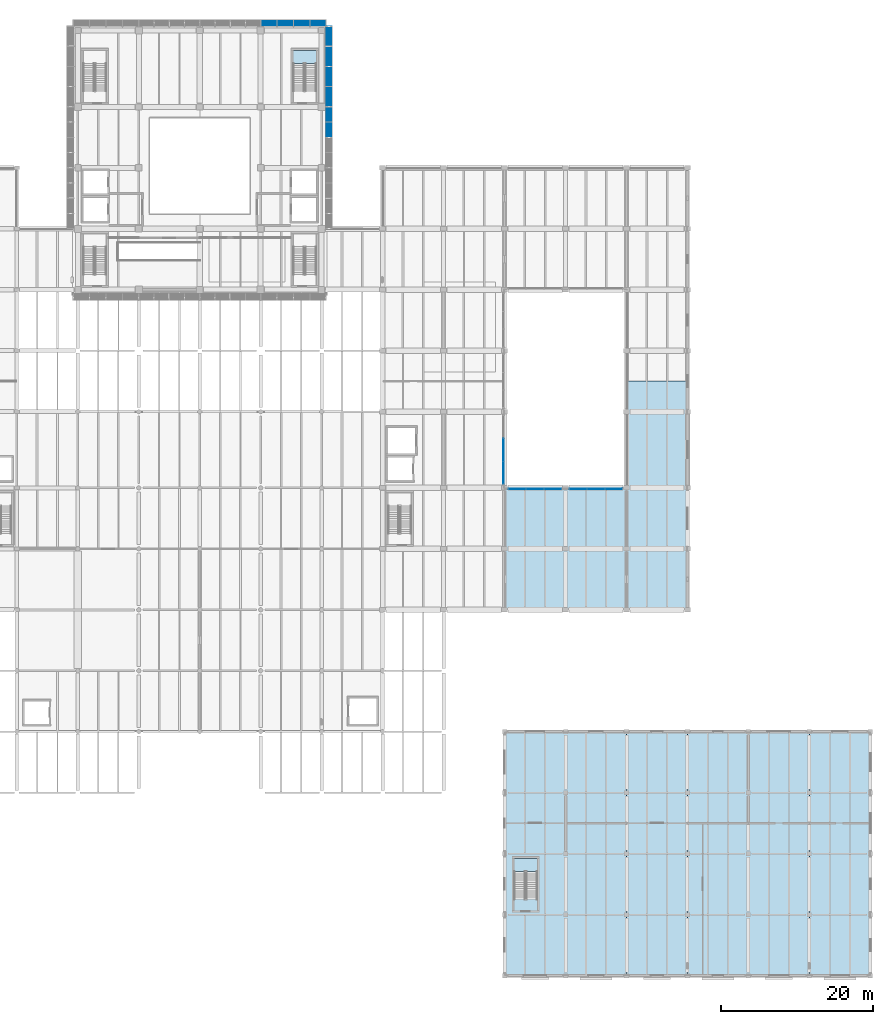
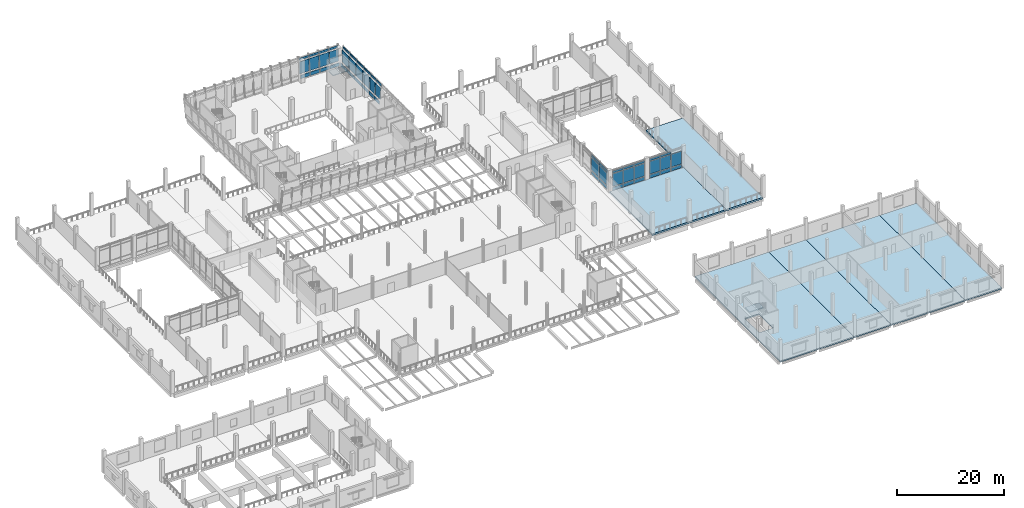
# One storey, part 30 of 61: 53 plates, 8 slabs, 8 elements without a shape of their own.
"""IFC4 building model written with IfcOpenShell, lengths in metres."""

from ifc_helpers import new_model, si_unit, direction, frame, origin, origin_2d, place, context, subcontext, project, spatial, polyline, rectangle, outline, extrude, material, layer, layer_set, type_object, element, aggregate, save


model = new_model("IFC4")

# Units and contexts
model_context = context("Model", 3, precision=1e-05, world=origin(), true_north=direction((0.0, 1.0)))
body_context = subcontext(model_context, "Body", "Model", "MODEL_VIEW")
ifc_project = project(units=[si_unit("LENGTHUNIT", "METRE"), si_unit("AREAUNIT", "SQUARE_METRE"), si_unit("VOLUMEUNIT", "CUBIC_METRE"), si_unit("PLANEANGLEUNIT", "RADIAN"), si_unit("MASSUNIT", "GRAM", prefix="KILO")], contexts=[model_context])

# Site, building, storey
site_placement = place(None, origin())
site = spatial("IfcSite", under=ifc_project, at=site_placement, CompositionType="ELEMENT")
building_placement = place(site_placement, origin())
building = spatial("IfcBuilding", under=site, at=building_placement, Name="Pecanmere Concourse Central Library", CompositionType="ELEMENT")
storey_placement = place(building_placement, frame((0.0, 0.0, 5.39990234375)))
storey = spatial("IfcBuildingStorey", under=building, at=storey_placement, Name="L02", CompositionType="ELEMENT", Elevation=5.39990234375)

# Curtain wall, plates
ifc_material_1 = material(Name="Clear anodized aluminium alloy 6063-T6", Category="aluminium")
curtain_wall_type_1 = type_object("IfcCurtainWallType", Name="CW_CLOISTER_GLAZ", PredefinedType="USERDEFINED", material=ifc_material_1)
curtain_wall_1_placement = place(storey_placement, origin())
curtain_wall_1 = element("IfcCurtainWall", 1, at=curtain_wall_1_placement, inside=storey, type_object=curtain_wall_type_1, Name="Unitised Curtain Wall CW-04 L02-115", ObjectType="UNITISED CURTAIN WALL", PredefinedType="USERDEFINED")
ifc_material_2 = material(Name="White ceramic-fritted insulated spandrel glazing", Category="glass")
ifc_layer_1 = layer(ifc_material_2, 0.053955078125, Name="CWP_SPN_54")
ifc_layer_set_1 = layer_set([ifc_layer_1], Name="White ceramic-fritted insulated spandrel glazing")
plate_type_1 = type_object("IfcPlateType", Name="CWP_SPN_54", PredefinedType="CURTAIN_PANEL", material=ifc_layer_set_1)
plate_1_placement = place(storey_placement, frame((127.85009765625, 66.001708984375, 0.14013671875), z_axis=(0.0, 0.0, 1.0), x_axis=(0.0, 1.0, 0.0)))
plate_1 = element("IfcPlate", 2, at=plate_1_placement, type_object=plate_type_1, Name="CW-04 Spandrel Panel 1.1", PredefinedType="CURTAIN_PANEL", context=body_context, shape_type="SweptSolid", body=[
    extrude(rectangle(XDim=2.92333984375, YDim=0.035888671875, at=origin_2d()), origin(), (0.0, 0.0, 1.0), 0.7900390625),
])
plate_2_placement = place(storey_placement, frame((127.85009765625, 69.0, 0.14013671875), z_axis=(0.0, 0.0, 1.0), x_axis=(0.0, 1.0, 0.0)))
plate_2 = element("IfcPlate", 3, at=plate_2_placement, type_object=plate_type_1, Name="CW-04 Spandrel Panel 2.1", PredefinedType="CURTAIN_PANEL", context=body_context, shape_type="SweptSolid", body=[
    extrude(rectangle(XDim=2.953369140625, YDim=0.035888671875, at=origin_2d()), origin(), (0.0, 0.0, 1.0), 0.7900390625),
])

curtain_wall_2_placement = place(storey_placement, origin())
curtain_wall_2 = element("IfcCurtainWall", 4, at=curtain_wall_2_placement, inside=storey, type_object=curtain_wall_type_1, Name="Unitised Curtain Wall CW-04 L02-121", ObjectType="UNITISED CURTAIN WALL", PredefinedType="USERDEFINED")
plate_3_placement = place(storey_placement, frame((129.668212890625, 63.85009765625, 0.14013671875), z_axis=(0.0, 0.0, 1.0), x_axis=(1.0, 0.0, 0.0)))
plate_3 = element("IfcPlate", 5, at=plate_3_placement, type_object=plate_type_1, Name="CW-04 Spandrel Panel 1.1", PredefinedType="CURTAIN_PANEL", context=body_context, shape_type="SweptSolid", body=[
    extrude(rectangle(XDim=2.256591796875, YDim=0.035888671875, at=origin_2d()), origin(), (0.0, 0.0, 1.0), 0.7900390625),
])
plate_4_placement = place(storey_placement, frame((132.0, 63.85009765625, 0.14013671875), z_axis=(0.0, 0.0, 1.0), x_axis=(1.0, 0.0, 0.0)))
plate_4 = element("IfcPlate", 6, at=plate_4_placement, type_object=plate_type_1, Name="CW-04 Spandrel Panel 2.1", PredefinedType="CURTAIN_PANEL", context=body_context, shape_type="SweptSolid", body=[
    extrude(rectangle(XDim=2.28662109375, YDim=0.035888671875, at=origin_2d()), origin(), (0.0, 0.0, 1.0), 0.7900390625),
])
plate_5_placement = place(storey_placement, frame((134.331787109375, 63.85009765625, 0.14013671875), z_axis=(0.0, 0.0, 1.0), x_axis=(1.0, 0.0, 0.0)))
plate_5 = element("IfcPlate", 7, at=plate_5_placement, type_object=plate_type_1, Name="CW-04 Spandrel Panel 3.1", PredefinedType="CURTAIN_PANEL", context=body_context, shape_type="SweptSolid", body=[
    extrude(rectangle(XDim=2.256591796875, YDim=0.035888671875, at=origin_2d()), origin(), (0.0, 0.0, 1.0), 0.7900390625),
])

curtain_wall_3_placement = place(storey_placement, origin())
curtain_wall_3 = element("IfcCurtainWall", 8, at=curtain_wall_3_placement, inside=storey, type_object=curtain_wall_type_1, Name="Unitised Curtain Wall CW-04 L02-123", ObjectType="UNITISED CURTAIN WALL", PredefinedType="USERDEFINED")
plate_6_placement = place(storey_placement, frame((137.668212890625, 63.85009765625, 0.14013671875), z_axis=(0.0, 0.0, 1.0), x_axis=(1.0, 0.0, 0.0)))
plate_6 = element("IfcPlate", 9, at=plate_6_placement, type_object=plate_type_1, Name="CW-04 Spandrel Panel 1.1", PredefinedType="CURTAIN_PANEL", context=body_context, shape_type="SweptSolid", body=[
    extrude(rectangle(XDim=2.256591796875, YDim=0.035888671875, at=origin_2d()), origin(), (0.0, 0.0, 1.0), 0.7900390625),
])
plate_7_placement = place(storey_placement, frame((140.0, 63.85009765625, 0.14013671875), z_axis=(0.0, 0.0, 1.0), x_axis=(1.0, 0.0, 0.0)))
plate_7 = element("IfcPlate", 10, at=plate_7_placement, type_object=plate_type_1, Name="CW-04 Spandrel Panel 2.1", PredefinedType="CURTAIN_PANEL", context=body_context, shape_type="SweptSolid", body=[
    extrude(rectangle(XDim=2.28662109375, YDim=0.035888671875, at=origin_2d()), origin(), (0.0, 0.0, 1.0), 0.7900390625),
])
plate_8_placement = place(storey_placement, frame((142.331787109375, 63.85009765625, 0.14013671875), z_axis=(0.0, 0.0, 1.0), x_axis=(1.0, 0.0, 0.0)))
plate_8 = element("IfcPlate", 11, at=plate_8_placement, type_object=plate_type_1, Name="CW-04 Spandrel Panel 3.1", PredefinedType="CURTAIN_PANEL", context=body_context, shape_type="SweptSolid", body=[
    extrude(rectangle(XDim=2.256591796875, YDim=0.035888671875, at=origin_2d()), origin(), (0.0, 0.0, 1.0), 0.7900390625),
])

ifc_material_3 = material(Name="Anodized bronze aluminium alloy 6063-T6", Category="aluminium")
curtain_wall_type_2 = type_object("IfcCurtainWallType", Name="CW_LEAN_BANDED", PredefinedType="USERDEFINED", material=ifc_material_3)
curtain_wall_4_placement = place(storey_placement, origin())
curtain_wall_4 = element("IfcCurtainWall", 12, at=curtain_wall_4_placement, inside=storey, type_object=curtain_wall_type_2, Name="Unitised Curtain Wall CW-01 L02-008", ObjectType="UNITISED CURTAIN WALL", PredefinedType="USERDEFINED")
ifc_material_4 = material(Name="White ceramic-fritted insulated spandrel glazing", Category="glass")
ifc_layer_2 = layer(ifc_material_4, 0.06396484375, Name="CWP_SPN_64")
ifc_layer_set_2 = layer_set([ifc_layer_2], Name="White ceramic-fritted insulated spandrel glazing")
plate_type_2 = type_object("IfcPlateType", Name="CWP_SPN_64", PredefinedType="CURTAIN_PANEL", material=ifc_layer_set_2)
plate_9_placement = place(storey_placement, frame((103.50732421875, 124.716552734375, 0.18017578125), z_axis=(0.0, 0.0, 1.0), x_axis=(-1.0, 0.0, 0.0)))
plate_9 = element("IfcPlate", 13, at=plate_9_placement, type_object=plate_type_2, Name="CW-01 Spandrel Panel 1.1", PredefinedType="CURTAIN_PANEL", context=body_context, shape_type="SweptSolid", body=[
    extrude(rectangle(XDim=2.036376953125, YDim=0.0419921875, at=origin_2d()), origin(), (0.0, 0.0, 1.0), 0.780029296875),
])
plate_10_placement = place(storey_placement, frame((101.377197265625, 124.716552734375, 0.18017578125), z_axis=(0.0, 0.0, 1.0), x_axis=(-1.0, 0.0, 0.0)))
plate_10 = element("IfcPlate", 14, at=plate_10_placement, type_object=plate_type_2, Name="CW-01 Spandrel Panel 2.1", PredefinedType="CURTAIN_PANEL", context=body_context, shape_type="SweptSolid", body=[
    extrude(rectangle(XDim=2.073974609375, YDim=0.0419921875, at=origin_2d()), origin(), (0.0, 0.0, 1.0), 0.780029296875),
])
plate_11_placement = place(storey_placement, frame((99.228271484375, 124.716552734375, 0.18017578125), z_axis=(0.0, 0.0, 1.0), x_axis=(-1.0, 0.0, 0.0)))
plate_11 = element("IfcPlate", 15, at=plate_11_placement, type_object=plate_type_2, Name="CW-01 Spandrel Panel 3.1", PredefinedType="CURTAIN_PANEL", context=body_context, shape_type="SweptSolid", body=[
    extrude(rectangle(XDim=2.073974609375, YDim=0.0419921875, at=origin_2d()), origin(), (0.0, 0.0, 1.0), 0.780029296875),
])
plate_12_placement = place(storey_placement, frame((97.09814453125, 124.716552734375, 0.18017578125), z_axis=(0.0, 0.0, 1.0), x_axis=(-1.0, 0.0, 0.0)))
plate_12 = element("IfcPlate", 16, at=plate_12_placement, type_object=plate_type_2, Name="CW-01 Spandrel Panel 4.1", PredefinedType="CURTAIN_PANEL", context=body_context, shape_type="SweptSolid", body=[
    extrude(rectangle(XDim=2.036376953125, YDim=0.0419921875, at=origin_2d()), origin(), (0.0, 0.0, 1.0), 0.780029296875),
])

curtain_wall_5_placement = place(storey_placement, origin())
curtain_wall_5 = element("IfcCurtainWall", 17, at=curtain_wall_5_placement, inside=storey, type_object=curtain_wall_type_2, Name="Unitised Curtain Wall CW-01 L02-017", ObjectType="UNITISED CURTAIN WALL", PredefinedType="USERDEFINED")
plate_13_placement = place(storey_placement, frame((104.716552734375, 110.998779296875, 0.18017578125), z_axis=(0.0, 0.0, 1.0), x_axis=(0.0, 1.0, 0.0)))
plate_13 = element("IfcPlate", 18, at=plate_13_placement, type_object=plate_type_2, Name="CW-01 Spandrel Panel 3.1", PredefinedType="CURTAIN_PANEL", context=body_context, shape_type="SweptSolid", body=[
    extrude(rectangle(XDim=1.922607421875, YDim=0.0419921875, at=origin_2d()), origin(), (0.0, 0.0, 1.0), 0.780029296875),
])
plate_14_placement = place(storey_placement, frame((104.716552734375, 112.9775390625, 0.18017578125), z_axis=(0.0, 0.0, 1.0), x_axis=(0.0, 1.0, 0.0)))
plate_14 = element("IfcPlate", 19, at=plate_14_placement, type_object=plate_type_2, Name="CW-01 Spandrel Panel 4.1", PredefinedType="CURTAIN_PANEL", context=body_context, shape_type="SweptSolid", body=[
    extrude(rectangle(XDim=1.885009765625, YDim=0.0419921875, at=origin_2d()), origin(), (0.0, 0.0, 1.0), 0.780029296875),
])

curtain_wall_6_placement = place(storey_placement, origin())
curtain_wall_6 = element("IfcCurtainWall", 20, at=curtain_wall_6_placement, inside=storey, type_object=curtain_wall_type_2, Name="Unitised Curtain Wall CW-01 L02-018", ObjectType="UNITISED CURTAIN WALL", PredefinedType="USERDEFINED")
plate_15_placement = place(storey_placement, frame((104.716552734375, 115.34814453125, 0.18017578125), z_axis=(0.0, 0.0, 1.0), x_axis=(0.0, 1.0, 0.0)))
plate_15 = element("IfcPlate", 21, at=plate_15_placement, type_object=plate_type_2, Name="CW-01 Spandrel Panel 1.1", PredefinedType="CURTAIN_PANEL", context=body_context, shape_type="SweptSolid", body=[
    extrude(rectangle(XDim=2.536376953125, YDim=0.0419921875, at=origin_2d()), origin(), (0.0, 0.0, 1.0), 0.780029296875),
])
plate_16_placement = place(storey_placement, frame((104.716552734375, 117.978271484375, 0.18017578125), z_axis=(0.0, 0.0, 1.0), x_axis=(0.0, 1.0, 0.0)))
plate_16 = element("IfcPlate", 22, at=plate_16_placement, type_object=plate_type_2, Name="CW-01 Spandrel Panel 2.1", PredefinedType="CURTAIN_PANEL", context=body_context, shape_type="SweptSolid", body=[
    extrude(rectangle(XDim=2.573974609375, YDim=0.0419921875, at=origin_2d()), origin(), (0.0, 0.0, 1.0), 0.780029296875),
])
plate_17_placement = place(storey_placement, frame((104.716552734375, 120.627197265625, 0.18017578125), z_axis=(0.0, 0.0, 1.0), x_axis=(0.0, 1.0, 0.0)))
plate_17 = element("IfcPlate", 23, at=plate_17_placement, type_object=plate_type_2, Name="CW-01 Spandrel Panel 3.1", PredefinedType="CURTAIN_PANEL", context=body_context, shape_type="SweptSolid", body=[
    extrude(rectangle(XDim=2.573974609375, YDim=0.0419921875, at=origin_2d()), origin(), (0.0, 0.0, 1.0), 0.780029296875),
])
plate_18_placement = place(storey_placement, frame((104.716552734375, 123.25732421875, 0.18017578125), z_axis=(0.0, 0.0, 1.0), x_axis=(0.0, 1.0, 0.0)))
plate_18 = element("IfcPlate", 24, at=plate_18_placement, type_object=plate_type_2, Name="CW-01 Spandrel Panel 4.1", PredefinedType="CURTAIN_PANEL", context=body_context, shape_type="SweptSolid", body=[
    extrude(rectangle(XDim=2.536376953125, YDim=0.0419921875, at=origin_2d()), origin(), (0.0, 0.0, 1.0), 0.780029296875),
])

# Plate
ifc_material_5 = material(Name="Low-iron clear insulated glazing", Category="glass")
ifc_layer_3 = layer(ifc_material_5, 0.035888671875, Name="CWP_VIS_36")
ifc_layer_set_3 = layer_set([ifc_layer_3], Name="Low-iron clear insulated glazing")
plate_type_3 = type_object("IfcPlateType", Name="CWP_VIS_36", PredefinedType="CURTAIN_PANEL", material=ifc_layer_set_3)
plate_19_placement = place(storey_placement, frame((127.85009765625, 66.001708984375, 1.070068359375), z_axis=(0.0, 0.0, 1.0), x_axis=(0.0, 1.0, 0.0)))
plate_19 = element("IfcPlate", 25, at=plate_19_placement, type_object=plate_type_3, Name="CW-04 Vision Panel 1.2", PredefinedType="CURTAIN_PANEL", context=body_context, shape_type="SweptSolid", body=[
    extrude(rectangle(XDim=2.92333984375, YDim=0.035888671875, at=origin_2d()), origin(), (0.0, 0.0, 1.0), 2.919921875),
])

plate_20_placement = place(storey_placement, frame((127.85009765625, 66.001708984375, 4.1298828125), z_axis=(0.0, 0.0, 1.0), x_axis=(0.0, 1.0, 0.0)))
plate_20 = element("IfcPlate", 26, at=plate_20_placement, type_object=plate_type_3, Name="CW-04 Vision Panel 1.3", PredefinedType="CURTAIN_PANEL", context=body_context, shape_type="SweptSolid", body=[
    extrude(rectangle(XDim=2.92333984375, YDim=0.035888671875, at=origin_2d()), origin(), (0.0, 0.0, 1.0), 0.489990234375),
])

plate_21_placement = place(storey_placement, frame((127.85009765625, 69.0, 1.070068359375), z_axis=(0.0, 0.0, 1.0), x_axis=(0.0, 1.0, 0.0)))
plate_21 = element("IfcPlate", 27, at=plate_21_placement, type_object=plate_type_3, Name="CW-04 Vision Panel 2.2", PredefinedType="CURTAIN_PANEL", context=body_context, shape_type="SweptSolid", body=[
    extrude(rectangle(XDim=2.953369140625, YDim=0.035888671875, at=origin_2d()), origin(), (0.0, 0.0, 1.0), 2.919921875),
])

plate_22_placement = place(storey_placement, frame((127.85009765625, 69.0, 4.1298828125), z_axis=(0.0, 0.0, 1.0), x_axis=(0.0, 1.0, 0.0)))
plate_22 = element("IfcPlate", 28, at=plate_22_placement, type_object=plate_type_3, Name="CW-04 Vision Panel 2.3", PredefinedType="CURTAIN_PANEL", context=body_context, shape_type="SweptSolid", body=[
    extrude(rectangle(XDim=2.953369140625, YDim=0.035888671875, at=origin_2d()), origin(), (0.0, 0.0, 1.0), 0.489990234375),
])

aggregate(curtain_wall_1, [plate_1, plate_19, plate_20, plate_2, plate_21, plate_22])

plate_23_placement = place(storey_placement, frame((129.668212890625, 63.85009765625, 1.070068359375), z_axis=(0.0, 0.0, 1.0), x_axis=(1.0, 0.0, 0.0)))
plate_23 = element("IfcPlate", 29, at=plate_23_placement, type_object=plate_type_3, Name="CW-04 Vision Panel 1.2", PredefinedType="CURTAIN_PANEL", context=body_context, shape_type="SweptSolid", body=[
    extrude(rectangle(XDim=2.256591796875, YDim=0.035888671875, at=origin_2d()), origin(), (0.0, 0.0, 1.0), 2.919921875),
])

plate_24_placement = place(storey_placement, frame((129.668212890625, 63.85009765625, 4.1298828125), z_axis=(0.0, 0.0, 1.0), x_axis=(1.0, 0.0, 0.0)))
plate_24 = element("IfcPlate", 30, at=plate_24_placement, type_object=plate_type_3, Name="CW-04 Vision Panel 1.3", PredefinedType="CURTAIN_PANEL", context=body_context, shape_type="SweptSolid", body=[
    extrude(rectangle(XDim=2.256591796875, YDim=0.035888671875, at=origin_2d()), origin(), (0.0, 0.0, 1.0), 0.489990234375),
])

plate_25_placement = place(storey_placement, frame((132.0, 63.85009765625, 1.070068359375), z_axis=(0.0, 0.0, 1.0), x_axis=(1.0, 0.0, 0.0)))
plate_25 = element("IfcPlate", 31, at=plate_25_placement, type_object=plate_type_3, Name="CW-04 Vision Panel 2.2", PredefinedType="CURTAIN_PANEL", context=body_context, shape_type="SweptSolid", body=[
    extrude(rectangle(XDim=2.28662109375, YDim=0.035888671875, at=origin_2d()), origin(), (0.0, 0.0, 1.0), 2.919921875),
])

plate_26_placement = place(storey_placement, frame((132.0, 63.85009765625, 4.1298828125), z_axis=(0.0, 0.0, 1.0), x_axis=(1.0, 0.0, 0.0)))
plate_26 = element("IfcPlate", 32, at=plate_26_placement, type_object=plate_type_3, Name="CW-04 Vision Panel 2.3", PredefinedType="CURTAIN_PANEL", context=body_context, shape_type="SweptSolid", body=[
    extrude(rectangle(XDim=2.28662109375, YDim=0.035888671875, at=origin_2d()), origin(), (0.0, 0.0, 1.0), 0.489990234375),
])

plate_27_placement = place(storey_placement, frame((134.331787109375, 63.85009765625, 1.070068359375), z_axis=(0.0, 0.0, 1.0), x_axis=(1.0, 0.0, 0.0)))
plate_27 = element("IfcPlate", 33, at=plate_27_placement, type_object=plate_type_3, Name="CW-04 Vision Panel 3.2", PredefinedType="CURTAIN_PANEL", context=body_context, shape_type="SweptSolid", body=[
    extrude(rectangle(XDim=2.256591796875, YDim=0.035888671875, at=origin_2d()), origin(), (0.0, 0.0, 1.0), 2.919921875),
])

plate_28_placement = place(storey_placement, frame((134.331787109375, 63.85009765625, 4.1298828125), z_axis=(0.0, 0.0, 1.0), x_axis=(1.0, 0.0, 0.0)))
plate_28 = element("IfcPlate", 34, at=plate_28_placement, type_object=plate_type_3, Name="CW-04 Vision Panel 3.3", PredefinedType="CURTAIN_PANEL", context=body_context, shape_type="SweptSolid", body=[
    extrude(rectangle(XDim=2.256591796875, YDim=0.035888671875, at=origin_2d()), origin(), (0.0, 0.0, 1.0), 0.489990234375),
])

aggregate(curtain_wall_2, [plate_3, plate_23, plate_24, plate_4, plate_25, plate_26, plate_5, plate_27, plate_28])

plate_29_placement = place(storey_placement, frame((137.668212890625, 63.85009765625, 1.070068359375), z_axis=(0.0, 0.0, 1.0), x_axis=(1.0, 0.0, 0.0)))
plate_29 = element("IfcPlate", 35, at=plate_29_placement, type_object=plate_type_3, Name="CW-04 Vision Panel 1.2", PredefinedType="CURTAIN_PANEL", context=body_context, shape_type="SweptSolid", body=[
    extrude(rectangle(XDim=2.256591796875, YDim=0.035888671875, at=origin_2d()), origin(), (0.0, 0.0, 1.0), 2.919921875),
])

plate_30_placement = place(storey_placement, frame((137.668212890625, 63.85009765625, 4.1298828125), z_axis=(0.0, 0.0, 1.0), x_axis=(1.0, 0.0, 0.0)))
plate_30 = element("IfcPlate", 36, at=plate_30_placement, type_object=plate_type_3, Name="CW-04 Vision Panel 1.3", PredefinedType="CURTAIN_PANEL", context=body_context, shape_type="SweptSolid", body=[
    extrude(rectangle(XDim=2.256591796875, YDim=0.035888671875, at=origin_2d()), origin(), (0.0, 0.0, 1.0), 0.489990234375),
])

plate_31_placement = place(storey_placement, frame((140.0, 63.85009765625, 1.070068359375), z_axis=(0.0, 0.0, 1.0), x_axis=(1.0, 0.0, 0.0)))
plate_31 = element("IfcPlate", 37, at=plate_31_placement, type_object=plate_type_3, Name="CW-04 Vision Panel 2.2", PredefinedType="CURTAIN_PANEL", context=body_context, shape_type="SweptSolid", body=[
    extrude(rectangle(XDim=2.28662109375, YDim=0.035888671875, at=origin_2d()), origin(), (0.0, 0.0, 1.0), 2.919921875),
])

plate_32_placement = place(storey_placement, frame((140.0, 63.85009765625, 4.1298828125), z_axis=(0.0, 0.0, 1.0), x_axis=(1.0, 0.0, 0.0)))
plate_32 = element("IfcPlate", 38, at=plate_32_placement, type_object=plate_type_3, Name="CW-04 Vision Panel 2.3", PredefinedType="CURTAIN_PANEL", context=body_context, shape_type="SweptSolid", body=[
    extrude(rectangle(XDim=2.28662109375, YDim=0.035888671875, at=origin_2d()), origin(), (0.0, 0.0, 1.0), 0.489990234375),
])

plate_33_placement = place(storey_placement, frame((142.331787109375, 63.85009765625, 1.070068359375), z_axis=(0.0, 0.0, 1.0), x_axis=(1.0, 0.0, 0.0)))
plate_33 = element("IfcPlate", 39, at=plate_33_placement, type_object=plate_type_3, Name="CW-04 Vision Panel 3.2", PredefinedType="CURTAIN_PANEL", context=body_context, shape_type="SweptSolid", body=[
    extrude(rectangle(XDim=2.256591796875, YDim=0.035888671875, at=origin_2d()), origin(), (0.0, 0.0, 1.0), 2.919921875),
])

aggregate(curtain_wall_3, [plate_6, plate_29, plate_30, plate_7, plate_31, plate_32, plate_8, plate_33])

ifc_material_6 = material(Name="Low-iron clear insulated glazing", Category="glass")
ifc_layer_4 = layer(ifc_material_6, 0.0419921875, Name="CWP_VIS_42")
ifc_layer_set_4 = layer_set([ifc_layer_4], Name="Low-iron clear insulated glazing")
plate_type_4 = type_object("IfcPlateType", Name="CWP_VIS_42", PredefinedType="CURTAIN_PANEL", material=ifc_layer_set_4)
plate_34_placement = place(storey_placement, frame((103.50732421875, 124.97802734375, 1.14013671875), z_axis=(0.0, 0.0, 1.0), x_axis=(-1.0, 0.0, 0.0)))
plate_34 = element("IfcPlate", 40, at=plate_34_placement, type_object=plate_type_4, Name="CW-01 Vision Panel 1.2", PredefinedType="CURTAIN_PANEL", context=body_context, shape_type="SweptSolid", body=[
    extrude(rectangle(XDim=2.036376953125, YDim=0.0419921875, at=origin_2d()), origin(), (0.0, 0.0, 1.0), 2.780029296875),
])

plate_35_placement = place(storey_placement, frame((103.50732421875, 125.219482421875, 4.10009765625), z_axis=(0.0, 0.0, 1.0), x_axis=(-1.0, 0.0, 0.0)))
plate_35 = element("IfcPlate", 41, at=plate_35_placement, type_object=plate_type_4, Name="CW-01 Vision Panel 1.3", PredefinedType="CURTAIN_PANEL", context=body_context, shape_type="SweptSolid", body=[
    extrude(rectangle(XDim=2.036376953125, YDim=0.0419921875, at=origin_2d()), origin(), (0.0, 0.0, 1.0), 0.47998046875),
])

plate_36_placement = place(storey_placement, frame((101.377197265625, 124.97802734375, 1.14013671875), z_axis=(0.0, 0.0, 1.0), x_axis=(-1.0, 0.0, 0.0)))
plate_36 = element("IfcPlate", 42, at=plate_36_placement, type_object=plate_type_4, Name="CW-01 Vision Panel 2.2", PredefinedType="CURTAIN_PANEL", context=body_context, shape_type="SweptSolid", body=[
    extrude(rectangle(XDim=2.073974609375, YDim=0.0419921875, at=origin_2d()), origin(), (0.0, 0.0, 1.0), 2.780029296875),
])

plate_37_placement = place(storey_placement, frame((101.377197265625, 125.219482421875, 4.10009765625), z_axis=(0.0, 0.0, 1.0), x_axis=(-1.0, 0.0, 0.0)))
plate_37 = element("IfcPlate", 43, at=plate_37_placement, type_object=plate_type_4, Name="CW-01 Vision Panel 2.3", PredefinedType="CURTAIN_PANEL", context=body_context, shape_type="SweptSolid", body=[
    extrude(rectangle(XDim=2.073974609375, YDim=0.0419921875, at=origin_2d()), origin(), (0.0, 0.0, 1.0), 0.47998046875),
])

plate_38_placement = place(storey_placement, frame((99.228271484375, 124.97802734375, 1.14013671875), z_axis=(0.0, 0.0, 1.0), x_axis=(-1.0, 0.0, 0.0)))
plate_38 = element("IfcPlate", 44, at=plate_38_placement, type_object=plate_type_4, Name="CW-01 Vision Panel 3.2", PredefinedType="CURTAIN_PANEL", context=body_context, shape_type="SweptSolid", body=[
    extrude(rectangle(XDim=2.073974609375, YDim=0.0419921875, at=origin_2d()), origin(), (0.0, 0.0, 1.0), 2.780029296875),
])

plate_39_placement = place(storey_placement, frame((99.228271484375, 125.219482421875, 4.10009765625), z_axis=(0.0, 0.0, 1.0), x_axis=(-1.0, 0.0, 0.0)))
plate_39 = element("IfcPlate", 45, at=plate_39_placement, type_object=plate_type_4, Name="CW-01 Vision Panel 3.3", PredefinedType="CURTAIN_PANEL", context=body_context, shape_type="SweptSolid", body=[
    extrude(rectangle(XDim=2.073974609375, YDim=0.0419921875, at=origin_2d()), origin(), (0.0, 0.0, 1.0), 0.47998046875),
])

plate_40_placement = place(storey_placement, frame((97.09814453125, 124.97802734375, 1.14013671875), z_axis=(0.0, 0.0, 1.0), x_axis=(-1.0, 0.0, 0.0)))
plate_40 = element("IfcPlate", 46, at=plate_40_placement, type_object=plate_type_4, Name="CW-01 Vision Panel 4.2", PredefinedType="CURTAIN_PANEL", context=body_context, shape_type="SweptSolid", body=[
    extrude(rectangle(XDim=2.036376953125, YDim=0.0419921875, at=origin_2d()), origin(), (0.0, 0.0, 1.0), 2.780029296875),
])

plate_41_placement = place(storey_placement, frame((97.09814453125, 125.219482421875, 4.10009765625), z_axis=(0.0, 0.0, 1.0), x_axis=(-1.0, 0.0, 0.0)))
plate_41 = element("IfcPlate", 47, at=plate_41_placement, type_object=plate_type_4, Name="CW-01 Vision Panel 4.3", PredefinedType="CURTAIN_PANEL", context=body_context, shape_type="SweptSolid", body=[
    extrude(rectangle(XDim=2.036376953125, YDim=0.0419921875, at=origin_2d()), origin(), (0.0, 0.0, 1.0), 0.47998046875),
])

aggregate(curtain_wall_4, [plate_9, plate_34, plate_35, plate_10, plate_36, plate_37, plate_11, plate_38, plate_39, plate_12, plate_40, plate_41])

plate_42_placement = place(storey_placement, frame((104.97802734375, 110.998779296875, 1.14013671875), z_axis=(0.0, 0.0, 1.0), x_axis=(0.0, 1.0, 0.0)))
plate_42 = element("IfcPlate", 48, at=plate_42_placement, type_object=plate_type_4, Name="CW-01 Vision Panel 3.2", PredefinedType="CURTAIN_PANEL", context=body_context, shape_type="SweptSolid", body=[
    extrude(rectangle(XDim=1.922607421875, YDim=0.0419921875, at=origin_2d()), origin(), (0.0, 0.0, 1.0), 2.780029296875),
])

plate_43_placement = place(storey_placement, frame((105.219482421875, 110.998779296875, 4.10009765625), z_axis=(0.0, 0.0, 1.0), x_axis=(0.0, 1.0, 0.0)))
plate_43 = element("IfcPlate", 49, at=plate_43_placement, type_object=plate_type_4, Name="CW-01 Vision Panel 3.3", PredefinedType="CURTAIN_PANEL", context=body_context, shape_type="SweptSolid", body=[
    extrude(rectangle(XDim=1.922607421875, YDim=0.0419921875, at=origin_2d()), origin(), (0.0, 0.0, 1.0), 0.47998046875),
])

plate_44_placement = place(storey_placement, frame((104.97802734375, 112.9775390625, 1.14013671875), z_axis=(0.0, 0.0, 1.0), x_axis=(0.0, 1.0, 0.0)))
plate_44 = element("IfcPlate", 50, at=plate_44_placement, type_object=plate_type_4, Name="CW-01 Vision Panel 4.2", PredefinedType="CURTAIN_PANEL", context=body_context, shape_type="SweptSolid", body=[
    extrude(rectangle(XDim=1.885009765625, YDim=0.0419921875, at=origin_2d()), origin(), (0.0, 0.0, 1.0), 2.780029296875),
])

plate_45_placement = place(storey_placement, frame((105.219482421875, 112.9775390625, 4.10009765625), z_axis=(0.0, 0.0, 1.0), x_axis=(0.0, 1.0, 0.0)))
plate_45 = element("IfcPlate", 51, at=plate_45_placement, type_object=plate_type_4, Name="CW-01 Vision Panel 4.3", PredefinedType="CURTAIN_PANEL", context=body_context, shape_type="SweptSolid", body=[
    extrude(rectangle(XDim=1.885009765625, YDim=0.0419921875, at=origin_2d()), origin(), (0.0, 0.0, 1.0), 0.47998046875),
])

aggregate(curtain_wall_5, [plate_13, plate_42, plate_43, plate_14, plate_44, plate_45])

plate_46_placement = place(storey_placement, frame((104.97802734375, 115.34814453125, 1.14013671875), z_axis=(0.0, 0.0, 1.0), x_axis=(0.0, 1.0, 0.0)))
plate_46 = element("IfcPlate", 52, at=plate_46_placement, type_object=plate_type_4, Name="CW-01 Vision Panel 1.2", PredefinedType="CURTAIN_PANEL", context=body_context, shape_type="SweptSolid", body=[
    extrude(rectangle(XDim=2.536376953125, YDim=0.0419921875, at=origin_2d()), origin(), (0.0, 0.0, 1.0), 2.780029296875),
])

plate_47_placement = place(storey_placement, frame((105.219482421875, 115.34814453125, 4.10009765625), z_axis=(0.0, 0.0, 1.0), x_axis=(0.0, 1.0, 0.0)))
plate_47 = element("IfcPlate", 53, at=plate_47_placement, type_object=plate_type_4, Name="CW-01 Vision Panel 1.3", PredefinedType="CURTAIN_PANEL", context=body_context, shape_type="SweptSolid", body=[
    extrude(rectangle(XDim=2.536376953125, YDim=0.0419921875, at=origin_2d()), origin(), (0.0, 0.0, 1.0), 0.47998046875),
])

plate_48_placement = place(storey_placement, frame((104.97802734375, 117.978271484375, 1.14013671875), z_axis=(0.0, 0.0, 1.0), x_axis=(0.0, 1.0, 0.0)))
plate_48 = element("IfcPlate", 54, at=plate_48_placement, type_object=plate_type_4, Name="CW-01 Vision Panel 2.2", PredefinedType="CURTAIN_PANEL", context=body_context, shape_type="SweptSolid", body=[
    extrude(rectangle(XDim=2.573974609375, YDim=0.0419921875, at=origin_2d()), origin(), (0.0, 0.0, 1.0), 2.780029296875),
])

plate_49_placement = place(storey_placement, frame((105.219482421875, 117.978271484375, 4.10009765625), z_axis=(0.0, 0.0, 1.0), x_axis=(0.0, 1.0, 0.0)))
plate_49 = element("IfcPlate", 55, at=plate_49_placement, type_object=plate_type_4, Name="CW-01 Vision Panel 2.3", PredefinedType="CURTAIN_PANEL", context=body_context, shape_type="SweptSolid", body=[
    extrude(rectangle(XDim=2.573974609375, YDim=0.0419921875, at=origin_2d()), origin(), (0.0, 0.0, 1.0), 0.47998046875),
])

plate_50_placement = place(storey_placement, frame((104.97802734375, 120.627197265625, 1.14013671875), z_axis=(0.0, 0.0, 1.0), x_axis=(0.0, 1.0, 0.0)))
plate_50 = element("IfcPlate", 56, at=plate_50_placement, type_object=plate_type_4, Name="CW-01 Vision Panel 3.2", PredefinedType="CURTAIN_PANEL", context=body_context, shape_type="SweptSolid", body=[
    extrude(rectangle(XDim=2.573974609375, YDim=0.0419921875, at=origin_2d()), origin(), (0.0, 0.0, 1.0), 2.780029296875),
])

plate_51_placement = place(storey_placement, frame((105.219482421875, 120.627197265625, 4.10009765625), z_axis=(0.0, 0.0, 1.0), x_axis=(0.0, 1.0, 0.0)))
plate_51 = element("IfcPlate", 57, at=plate_51_placement, type_object=plate_type_4, Name="CW-01 Vision Panel 3.3", PredefinedType="CURTAIN_PANEL", context=body_context, shape_type="SweptSolid", body=[
    extrude(rectangle(XDim=2.573974609375, YDim=0.0419921875, at=origin_2d()), origin(), (0.0, 0.0, 1.0), 0.47998046875),
])

plate_52_placement = place(storey_placement, frame((104.97802734375, 123.25732421875, 1.14013671875), z_axis=(0.0, 0.0, 1.0), x_axis=(0.0, 1.0, 0.0)))
plate_52 = element("IfcPlate", 58, at=plate_52_placement, type_object=plate_type_4, Name="CW-01 Vision Panel 4.2", PredefinedType="CURTAIN_PANEL", context=body_context, shape_type="SweptSolid", body=[
    extrude(rectangle(XDim=2.536376953125, YDim=0.0419921875, at=origin_2d()), origin(), (0.0, 0.0, 1.0), 2.780029296875),
])

plate_53_placement = place(storey_placement, frame((105.219482421875, 123.25732421875, 4.10009765625), z_axis=(0.0, 0.0, 1.0), x_axis=(0.0, 1.0, 0.0)))
plate_53 = element("IfcPlate", 59, at=plate_53_placement, type_object=plate_type_4, Name="CW-01 Vision Panel 4.3", PredefinedType="CURTAIN_PANEL", context=body_context, shape_type="SweptSolid", body=[
    extrude(rectangle(XDim=2.536376953125, YDim=0.0419921875, at=origin_2d()), origin(), (0.0, 0.0, 1.0), 0.47998046875),
])

aggregate(curtain_wall_6, [plate_15, plate_46, plate_47, plate_16, plate_48, plate_49, plate_17, plate_50, plate_51, plate_18, plate_52, plate_53])

# Slabs
ifc_material_7 = material(Name="Concrete C35/45", Category="concrete")
ifc_layer_5 = layer(ifc_material_7, 0.3701171875, Name="SLAB_COMPACT_370")
ifc_layer_set_5 = layer_set([ifc_layer_5], Name="Concrete C35/45")
slab_type_1 = type_object("IfcSlabType", Name="SLAB_COMPACT_370", PredefinedType="FLOOR", material=ifc_layer_set_5)
slab_1_placement = place(storey_placement, frame((0.0, 0.0, -0.369873046875)))
element("IfcSlab", 60, at=slab_1_placement, inside=storey, type_object=slab_type_1, Name="Floor Slab V2 L02-075", PredefinedType="FLOOR", context=body_context, shape_type="SweptSolid", body=[
    extrude(outline(polyline([(128.0, 48.0), (128.0, 64.0), (144.0, 64.0), (144.0, 49.60009765625), (143.919921875, 49.60009765625), (143.919921875, 49.0), (144.0, 49.0), (144.0, 48.0), (128.0, 48.0)])), origin(), (0.0, 0.0, 1.0), 0.369873046875),
])
slab_2_placement = place(storey_placement, frame((0.0, 0.0, -0.369873046875)))
element("IfcSlab", 61, at=slab_2_placement, inside=storey, type_object=slab_type_1, Name="Floor Slab V2 L02-077", PredefinedType="FLOOR", context=body_context, shape_type="SweptSolid", body=[
    extrude(outline(polyline([(144.0, 48.0), (144.0, 64.0), (144.0, 78.0), (152.0, 78.0), (152.0, 48.0), (144.0, 48.0)])), origin(), (0.0, 0.0, 1.0), 0.369873046875),
])

# Stair, slab
ifc_material_8 = material(Name="Concrete C35/45", Category="concrete")
stair_type_1 = type_object("IfcStairType", Name="STAIR_TYPE_ST-04-1821", PredefinedType="USERDEFINED", material=ifc_material_8)
stair_1_placement = place(storey_placement, origin())
stair_1 = element("IfcStair", 62, at=stair_1_placement, inside=storey, type_object=stair_type_1, Name="L02 Protected Stair ST-04", ObjectType="TWO_RETURN_STAIR", PredefinedType="USERDEFINED")
ifc_material_9 = material(Name="Concrete C35/45", Category="concrete")
ifc_layer_6 = layer(ifc_material_9, 0.199951171875, Name="SLAB_LANDING_200")
ifc_layer_set_6 = layer_set([ifc_layer_6], Name="Concrete C35/45")
slab_type_2 = type_object("IfcSlabType", Name="SLAB_LANDING_200", PredefinedType="LANDING", material=ifc_layer_set_6)
slab_3_placement = place(storey_placement, frame((0.0, 0.0, 2.35009765625)))
slab_3 = element("IfcSlab", 63, at=slab_3_placement, type_object=slab_type_2, Name="ST-04-1821 landing 1", PredefinedType="LANDING", context=body_context, shape_type="SweptSolid", body=[
    extrude(outline(polyline([(103.300048828125, 119.68994140625), (103.300048828125, 121.419921875), (100.239990234375, 121.419921875), (100.239990234375, 119.68994140625), (103.300048828125, 119.68994140625)])), origin(), (0.0, 0.0, 1.0), 0.199951171875),
])
aggregate(stair_1, [slab_3])

ifc_material_10 = material(Name="Concrete C35/45", Category="concrete")
stair_type_2 = type_object("IfcStairType", Name="STAIR_TYPE_ST-08-1821", PredefinedType="USERDEFINED", material=ifc_material_10)
stair_2_placement = place(storey_placement, origin())
stair_2 = element("IfcStair", 64, at=stair_2_placement, inside=storey, type_object=stair_type_2, Name="L02 Protected Stair ST-08", ObjectType="TWO_RETURN_STAIR", PredefinedType="USERDEFINED")
slab_4_placement = place(storey_placement, frame((0.0, 0.0, 2.35009765625)))
slab_4 = element("IfcSlab", 65, at=slab_4_placement, type_object=slab_type_2, Name="ST-08-1821 landing 1", PredefinedType="LANDING", context=body_context, shape_type="SweptSolid", body=[
    extrude(outline(polyline([(132.300048828125, 13.639892578125), (132.300048828125, 15.3701171875), (129.239990234375, 15.3701171875), (129.239990234375, 13.639892578125), (132.300048828125, 13.639892578125)])), origin(), (0.0, 0.0, 1.0), 0.199951171875),
])
aggregate(stair_2, [slab_4])

# Slabs
ifc_material_11 = material(Name="Concrete C35/45", Category="concrete")
ifc_layer_7 = layer(ifc_material_11, 0.284912109375, Name="SLAB_READ_285")
ifc_layer_set_7 = layer_set([ifc_layer_7], Name="Concrete C35/45")
slab_type_3 = type_object("IfcSlabType", Name="SLAB_READ_285", PredefinedType="FLOOR", material=ifc_layer_set_7)
slab_5_placement = place(storey_placement, frame((0.0, 0.0, -0.284912109375)))
element("IfcSlab", 66, at=slab_5_placement, inside=storey, type_object=slab_type_3, Name="Floor Slab V5 L02-092", PredefinedType="FLOOR", context=body_context, shape_type="SweptSolid", body=[
    extrude(outline(polyline([(144.0, 0.0), (128.0, 0.0), (128.0, 32.0), (144.0, 32.0), (144.0, 0.0)]), holes=[polyline([(132.300048828125, 15.3701171875), (129.239990234375, 15.3701171875), (129.239990234375, 10.030029296875), (132.300048828125, 10.030029296875), (132.300048828125, 15.3701171875)])]), origin(), (0.0, 0.0, 1.0), 0.284912109375),
])
slab_6_placement = place(storey_placement, frame((0.0, 0.0, -0.284912109375)))
element("IfcSlab", 67, at=slab_6_placement, inside=storey, type_object=slab_type_3, Name="Floor Slab V5 L02-093", PredefinedType="FLOOR", context=body_context, shape_type="SweptSolid", body=[
    extrude(outline(polyline([(144.0, 32.0), (152.0, 32.0), (152.0, 1.60009765625), (151.919921875, 1.60009765625), (151.919921875, 1.0), (152.0, 1.0), (152.0, 0.0), (144.0, 0.0), (144.0, 32.0)])), origin(), (0.0, 0.0, 1.0), 0.284912109375),
])
slab_7_placement = place(storey_placement, frame((0.0, 0.0, -0.284912109375)))
element("IfcSlab", 68, at=slab_7_placement, inside=storey, type_object=slab_type_3, Name="Floor Slab V5 L02-094", PredefinedType="FLOOR", context=body_context, shape_type="SweptSolid", body=[
    extrude(outline(polyline([(152.0, 32.0), (168.0, 32.0), (168.0, 1.60009765625), (167.919921875, 1.60009765625), (167.919921875, 1.0), (168.0, 1.0), (168.0, 0.0), (152.0, 0.0), (152.0, 32.0)])), origin(), (0.0, 0.0, 1.0), 0.284912109375),
])
slab_8_placement = place(storey_placement, frame((0.0, 0.0, -0.284912109375)))
element("IfcSlab", 69, at=slab_8_placement, inside=storey, type_object=slab_type_3, Name="Floor Slab V5 L02-095", PredefinedType="FLOOR", context=body_context, shape_type="SweptSolid", body=[
    extrude(outline(polyline([(168.0, 32.0), (176.0, 32.0), (176.0, 1.60009765625), (175.919921875, 1.60009765625), (175.919921875, 1.0), (176.0, 1.0), (176.0, 0.0), (168.0, 0.0), (168.0, 32.0)])), origin(), (0.0, 0.0, 1.0), 0.284912109375),
])

save(model, "model.ifc")
